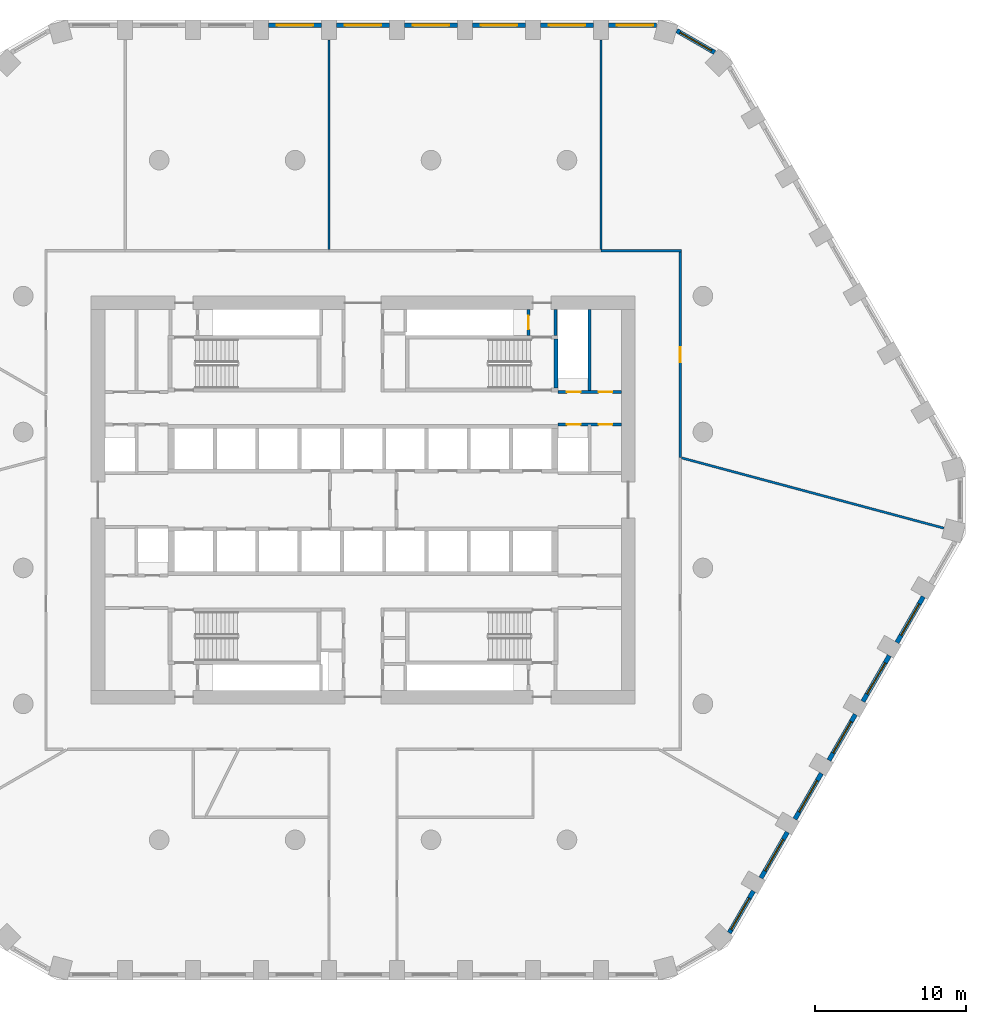
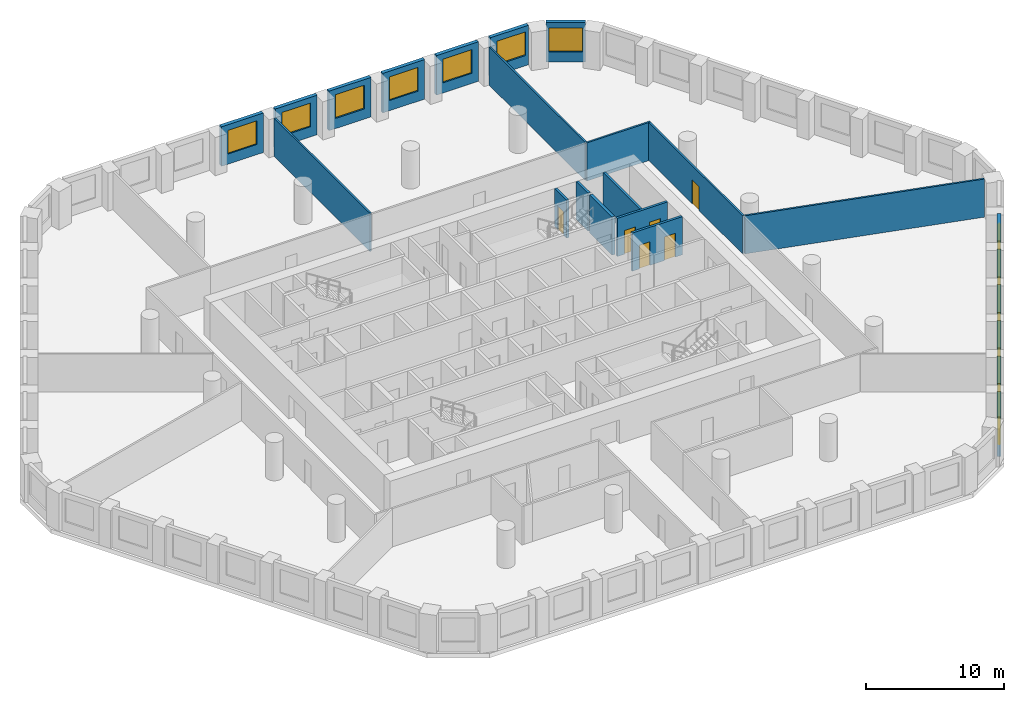
# One storey, part 7 of 9: 24 walls, 13 windows, 6 doors, 19 openings.
"""IFC4 building model written with IfcOpenShell, lengths in metres."""

from ifc_helpers import new_model, si_unit, direction, frame, frame_2d, origin, place, context, subcontext, project, spatial, rectangle, extrude, material, layer, layer_set, type_object, element, fill, save


model = new_model("IFC4")

# Units and contexts
model_context = context("Model", 3, precision=1e-05, world=origin(), true_north=direction((0.0, 1.0)))
body_context = subcontext(model_context, "Body", "Model", "MODEL_VIEW")
ifc_project = project(units=[si_unit("LENGTHUNIT", "METRE"), si_unit("AREAUNIT", "SQUARE_METRE"), si_unit("VOLUMEUNIT", "CUBIC_METRE"), si_unit("PLANEANGLEUNIT", "RADIAN"), si_unit("MASSUNIT", "GRAM", prefix="KILO")], contexts=[model_context])

# Site, building, storey
site_placement = place(None, origin())
site = spatial("IfcSite", under=ifc_project, at=site_placement, CompositionType="ELEMENT")
building_placement = place(site_placement, origin())
building = spatial("IfcBuilding", under=site, at=building_placement, Name="Dhurran Vertical Campus", CompositionType="ELEMENT")
storey_placement = place(building_placement, frame((0.0, 0.0, 124.199951171875)))
storey = spatial("IfcBuildingStorey", under=building, at=storey_placement, Name="L30", CompositionType="ELEMENT", Elevation=124.199951171875)

# Wall, opening, window
ifc_material_1 = material(Name="Precast concrete C50/60", Category="concrete")
ifc_layer_1 = layer(ifc_material_1, 0.300048828125)
ifc_layer_set_1 = layer_set([ifc_layer_1], Name="Precast concrete C50/60")
wall_type_1 = type_object("IfcWallType", Name="Precast spandrel wall 300", PredefinedType="SOLIDWALL", material=ifc_layer_set_1)
wall_1_placement = place(storey_placement, frame((24.24755859375, -28.65576171875, 0.0), z_axis=(0.0, 0.0, 1.0), x_axis=(0.500004907028, 0.866022570692, 0.0)))
wall_1 = element("IfcWall", 1, at=wall_1_placement, inside=storey, type_object=wall_type_1, Name="EW1 L30.10", PredefinedType="SOLIDWALL", context=body_context, shape_type="SweptSolid", body=[
    extrude(rectangle(XDim=3.1923828125, YDim=0.300048828125, at=frame_2d((1.59619140625, 0.0))), origin(), (0.0, 0.0, 1.0), 3.5),
])
opening_1_placement = place(wall_1_placement, frame((0.242919921875, 0.0, 0.89990234375)))
opening_1 = element("IfcOpeningElement", 2, at=opening_1_placement, cuts=wall_1, Name="Opening WT1", PredefinedType="OPENING", context=body_context, shape_type="SweptSolid", body=[
    extrude(rectangle(XDim=2.39990234375, YDim=2.10009765625, at=frame_2d((1.199951171875, 1.050048828125))), frame((0.0, 0.159912109375, 0.0), z_axis=(0.0, -1.0, 0.0), x_axis=(1.0, 0.0, 0.0)), (0.0, 0.0, 1.0), 0.320068359375),
])
ifc_material_2 = material(Name="Aluminium frame with solar-control glass", Category="aluminium")
window_type = type_object("IfcWindowType", Name="Punched window 2400 x 2100", PartitioningType="SINGLE_PANEL", PredefinedType="WINDOW", material=ifc_material_2)
window_1_placement = place(opening_1_placement, origin())
window_1 = element("IfcWindow", 3, at=window_1_placement, inside=storey, type_object=window_type, Name="WT1 L30.10", OverallHeight=2.10009765625, OverallWidth=2.39990234375, PartitioningType="SINGLE_PANEL", PredefinedType="WINDOW", context=body_context, shape_type="SweptSolid", body=[
    extrude(rectangle(XDim=2.39990234375, YDim=2.10009765625, at=frame_2d((1.199951171875, 1.050048828125))), frame((0.0, 0.030029296875, 0.0), z_axis=(0.0, -1.0, 0.0), x_axis=(1.0, 0.0, 0.0)), (0.0, 0.0, 1.0), 0.06005859375),
])
fill(opening_1, window_1)

wall_2_placement = place(storey_placement, frame((26.34423828125, -25.024169921875, 0.0), z_axis=(0.0, 0.0, 1.0), x_axis=(0.499996256241, 0.866027565234, 0.0)))
wall_2 = element("IfcWall", 4, at=wall_2_placement, inside=storey, type_object=wall_type_1, Name="EW1 L30.11", PredefinedType="SOLIDWALL", context=body_context, shape_type="SweptSolid", body=[
    extrude(rectangle(XDim=3.4990234375, YDim=0.300048828125, at=frame_2d((1.74951171875, 0.0))), origin(), (0.0, 0.0, 1.0), 3.5),
])
opening_2_placement = place(wall_2_placement, frame((0.549560546875, 0.0, 0.89990234375)))
opening_2 = element("IfcOpeningElement", 5, at=opening_2_placement, cuts=wall_2, Name="Opening WT1", PredefinedType="OPENING", context=body_context, shape_type="SweptSolid", body=[
    extrude(rectangle(XDim=2.39990234375, YDim=2.10009765625, at=frame_2d((1.199951171875, 1.050048828125))), frame((0.0, 0.159912109375, 0.0), z_axis=(0.0, -1.0, 0.0), x_axis=(1.0, 0.0, 0.0)), (0.0, 0.0, 1.0), 0.320068359375),
])
window_2_placement = place(opening_2_placement, origin())
window_2 = element("IfcWindow", 6, at=window_2_placement, inside=storey, type_object=window_type, Name="WT1 L30.11", OverallHeight=2.10009765625, OverallWidth=2.39990234375, PartitioningType="SINGLE_PANEL", PredefinedType="WINDOW", context=body_context, shape_type="SweptSolid", body=[
    extrude(rectangle(XDim=2.39990234375, YDim=2.10009765625, at=frame_2d((1.199951171875, 1.050048828125))), frame((0.0, 0.030029296875, 0.0), z_axis=(0.0, -1.0, 0.0), x_axis=(1.0, 0.0, 0.0)), (0.0, 0.0, 1.0), 0.06005859375),
])
fill(opening_2, window_2)

wall_3_placement = place(storey_placement, frame((28.59423828125, -21.127197265625, 0.0), z_axis=(0.0, 0.0, 1.0), x_axis=(0.499996256241, 0.866027565234, 0.0)))
wall_3 = element("IfcWall", 7, at=wall_3_placement, inside=storey, type_object=wall_type_1, Name="EW1 L30.12", PredefinedType="SOLIDWALL", context=body_context, shape_type="SweptSolid", body=[
    extrude(rectangle(XDim=3.4990234375, YDim=0.300048828125, at=frame_2d((1.74951171875, 0.0))), origin(), (0.0, 0.0, 1.0), 3.5),
])
opening_3_placement = place(wall_3_placement, frame((0.549560546875, 0.0, 0.89990234375)))
opening_3 = element("IfcOpeningElement", 8, at=opening_3_placement, cuts=wall_3, Name="Opening WT1", PredefinedType="OPENING", context=body_context, shape_type="SweptSolid", body=[
    extrude(rectangle(XDim=2.39990234375, YDim=2.10009765625, at=frame_2d((1.199951171875, 1.050048828125))), frame((0.0, 0.159912109375, 0.0), z_axis=(0.0, -1.0, 0.0), x_axis=(1.0, 0.0, 0.0)), (0.0, 0.0, 1.0), 0.320068359375),
])
window_3_placement = place(opening_3_placement, origin())
window_3 = element("IfcWindow", 9, at=window_3_placement, inside=storey, type_object=window_type, Name="WT1 L30.12", OverallHeight=2.10009765625, OverallWidth=2.39990234375, PartitioningType="SINGLE_PANEL", PredefinedType="WINDOW", context=body_context, shape_type="SweptSolid", body=[
    extrude(rectangle(XDim=2.39990234375, YDim=2.10009765625, at=frame_2d((1.199951171875, 1.050048828125))), frame((0.0, 0.030029296875, 0.0), z_axis=(0.0, -1.0, 0.0), x_axis=(1.0, 0.0, 0.0)), (0.0, 0.0, 1.0), 0.06005859375),
])
fill(opening_3, window_3)

wall_4_placement = place(storey_placement, frame((30.84423828125, -17.22998046875, 0.0), z_axis=(0.0, 0.0, 1.0), x_axis=(0.499996256241, 0.866027565234, 0.0)))
wall_4 = element("IfcWall", 10, at=wall_4_placement, inside=storey, type_object=wall_type_1, Name="EW1 L30.13", PredefinedType="SOLIDWALL", context=body_context, shape_type="SweptSolid", body=[
    extrude(rectangle(XDim=3.4990234375, YDim=0.300048828125, at=frame_2d((1.74951171875, 0.0))), origin(), (0.0, 0.0, 1.0), 3.5),
])
opening_4_placement = place(wall_4_placement, frame((0.549560546875, 0.0, 0.89990234375)))
opening_4 = element("IfcOpeningElement", 11, at=opening_4_placement, cuts=wall_4, Name="Opening WT1", PredefinedType="OPENING", context=body_context, shape_type="SweptSolid", body=[
    extrude(rectangle(XDim=2.39990234375, YDim=2.10009765625, at=frame_2d((1.199951171875, 1.050048828125))), frame((0.0, 0.159912109375, 0.0), z_axis=(0.0, -1.0, 0.0), x_axis=(1.0, 0.0, 0.0)), (0.0, 0.0, 1.0), 0.320068359375),
])
window_4_placement = place(opening_4_placement, origin())
window_4 = element("IfcWindow", 12, at=window_4_placement, inside=storey, type_object=window_type, Name="WT1 L30.13", OverallHeight=2.10009765625, OverallWidth=2.39990234375, PartitioningType="SINGLE_PANEL", PredefinedType="WINDOW", context=body_context, shape_type="SweptSolid", body=[
    extrude(rectangle(XDim=2.39990234375, YDim=2.10009765625, at=frame_2d((1.199951171875, 1.050048828125))), frame((0.0, 0.030029296875, 0.0), z_axis=(0.0, -1.0, 0.0), x_axis=(1.0, 0.0, 0.0)), (0.0, 0.0, 1.0), 0.06005859375),
])
fill(opening_4, window_4)

wall_5_placement = place(storey_placement, frame((33.09423828125, -13.3330078125, 0.0), z_axis=(0.0, 0.0, 1.0), x_axis=(0.499996256241, 0.866027565234, 0.0)))
wall_5 = element("IfcWall", 13, at=wall_5_placement, inside=storey, type_object=wall_type_1, Name="EW1 L30.14", PredefinedType="SOLIDWALL", context=body_context, shape_type="SweptSolid", body=[
    extrude(rectangle(XDim=3.4990234375, YDim=0.300048828125, at=frame_2d((1.74951171875, 0.0))), origin(), (0.0, 0.0, 1.0), 3.5),
])
opening_5_placement = place(wall_5_placement, frame((0.549560546875, 0.0, 0.89990234375)))
opening_5 = element("IfcOpeningElement", 14, at=opening_5_placement, cuts=wall_5, Name="Opening WT1", PredefinedType="OPENING", context=body_context, shape_type="SweptSolid", body=[
    extrude(rectangle(XDim=2.39990234375, YDim=2.10009765625, at=frame_2d((1.199951171875, 1.050048828125))), frame((0.0, 0.159912109375, 0.0), z_axis=(0.0, -1.0, 0.0), x_axis=(1.0, 0.0, 0.0)), (0.0, 0.0, 1.0), 0.320068359375),
])
window_5_placement = place(opening_5_placement, origin())
window_5 = element("IfcWindow", 15, at=window_5_placement, inside=storey, type_object=window_type, Name="WT1 L30.14", OverallHeight=2.10009765625, OverallWidth=2.39990234375, PartitioningType="SINGLE_PANEL", PredefinedType="WINDOW", context=body_context, shape_type="SweptSolid", body=[
    extrude(rectangle(XDim=2.39990234375, YDim=2.10009765625, at=frame_2d((1.199951171875, 1.050048828125))), frame((0.0, 0.030029296875, 0.0), z_axis=(0.0, -1.0, 0.0), x_axis=(1.0, 0.0, 0.0)), (0.0, 0.0, 1.0), 0.06005859375),
])
fill(opening_5, window_5)

wall_6_placement = place(storey_placement, frame((35.34423828125, -9.435791015625, 0.0), z_axis=(0.0, 0.0, 1.0), x_axis=(0.499996256241, 0.866027565234, 0.0)))
wall_6 = element("IfcWall", 16, at=wall_6_placement, inside=storey, type_object=wall_type_1, Name="EW1 L30.15", PredefinedType="SOLIDWALL", context=body_context, shape_type="SweptSolid", body=[
    extrude(rectangle(XDim=3.4990234375, YDim=0.300048828125, at=frame_2d((1.74951171875, 0.0))), origin(), (0.0, 0.0, 1.0), 3.5),
])
opening_6_placement = place(wall_6_placement, frame((0.549560546875, 0.0, 0.89990234375)))
opening_6 = element("IfcOpeningElement", 17, at=opening_6_placement, cuts=wall_6, Name="Opening WT1", PredefinedType="OPENING", context=body_context, shape_type="SweptSolid", body=[
    extrude(rectangle(XDim=2.39990234375, YDim=2.10009765625, at=frame_2d((1.199951171875, 1.050048828125))), frame((0.0, 0.159912109375, 0.0), z_axis=(0.0, -1.0, 0.0), x_axis=(1.0, 0.0, 0.0)), (0.0, 0.0, 1.0), 0.320068359375),
])
window_6_placement = place(opening_6_placement, origin())
window_6 = element("IfcWindow", 18, at=window_6_placement, inside=storey, type_object=window_type, Name="WT1 L30.15", OverallHeight=2.10009765625, OverallWidth=2.39990234375, PartitioningType="SINGLE_PANEL", PredefinedType="WINDOW", context=body_context, shape_type="SweptSolid", body=[
    extrude(rectangle(XDim=2.39990234375, YDim=2.10009765625, at=frame_2d((1.199951171875, 1.050048828125))), frame((0.0, 0.030029296875, 0.0), z_axis=(0.0, -1.0, 0.0), x_axis=(1.0, 0.0, 0.0)), (0.0, 0.0, 1.0), 0.06005859375),
])
fill(opening_6, window_6)

wall_7_placement = place(storey_placement, frame((23.273193359375, 29.63037109375, 0.0), z_axis=(0.0, 0.0, 1.0), x_axis=(-0.866053149362, 0.49995194017, 0.0)))
wall_7 = element("IfcWall", 19, at=wall_7_placement, inside=storey, type_object=wall_type_1, Name="EW1 L30.25", PredefinedType="SOLIDWALL", context=body_context, shape_type="SweptSolid", body=[
    extrude(rectangle(XDim=2.885498046875, YDim=0.300048828125, at=frame_2d((1.44287109375, 0.0))), origin(), (0.0, 0.0, 1.0), 3.5),
])
opening_7_placement = place(wall_7_placement, frame((0.242919921875, 0.0, 0.89990234375)))
opening_7 = element("IfcOpeningElement", 20, at=opening_7_placement, cuts=wall_7, Name="Opening WT1", PredefinedType="OPENING", context=body_context, shape_type="SweptSolid", body=[
    extrude(rectangle(XDim=2.39990234375, YDim=2.10009765625, at=frame_2d((1.199951171875, 1.050048828125))), frame((0.0, 0.159912109375, 0.0), z_axis=(0.0, -1.0, 0.0), x_axis=(1.0, 0.0, 0.0)), (0.0, 0.0, 1.0), 0.320068359375),
])
window_7_placement = place(opening_7_placement, origin())
window_7 = element("IfcWindow", 21, at=window_7_placement, inside=storey, type_object=window_type, Name="WT1 L30.25", OverallHeight=2.10009765625, OverallWidth=2.39990234375, PartitioningType="SINGLE_PANEL", PredefinedType="WINDOW", context=body_context, shape_type="SweptSolid", body=[
    extrude(rectangle(XDim=2.39990234375, YDim=2.10009765625, at=frame_2d((1.199951171875, 1.050048828125))), frame((0.0, 0.030029296875, 0.0), z_axis=(0.0, -1.0, 0.0), x_axis=(1.0, 0.0, 0.0)), (0.0, 0.0, 1.0), 0.06005859375),
])
fill(opening_7, window_7)

wall_8_placement = place(storey_placement, frame((19.44287109375, 31.4296875, 0.0), z_axis=(0.0, 0.0, 1.0), x_axis=(-1.0, 0.0, 0.0)))
wall_8 = element("IfcWall", 22, at=wall_8_placement, inside=storey, type_object=wall_type_1, Name="EW1 L30.26", PredefinedType="SOLIDWALL", context=body_context, shape_type="SweptSolid", body=[
    extrude(rectangle(XDim=3.1923828125, YDim=0.300048828125, at=frame_2d((1.59619140625, 0.0))), origin(), (0.0, 0.0, 1.0), 3.5),
])
opening_8_placement = place(wall_8_placement, frame((0.242919921875, 0.0, 0.89990234375)))
opening_8 = element("IfcOpeningElement", 23, at=opening_8_placement, cuts=wall_8, Name="Opening WT1", PredefinedType="OPENING", context=body_context, shape_type="SweptSolid", body=[
    extrude(rectangle(XDim=2.39990234375, YDim=2.10009765625, at=frame_2d((1.199951171875, 1.050048828125))), frame((0.0, 0.159912109375, 0.0), z_axis=(0.0, -1.0, 0.0), x_axis=(1.0, 0.0, 0.0)), (0.0, 0.0, 1.0), 0.320068359375),
])
window_8_placement = place(opening_8_placement, origin())
window_8 = element("IfcWindow", 24, at=window_8_placement, inside=storey, type_object=window_type, Name="WT1 L30.26", OverallHeight=2.10009765625, OverallWidth=2.39990234375, PartitioningType="SINGLE_PANEL", PredefinedType="WINDOW", context=body_context, shape_type="SweptSolid", body=[
    extrude(rectangle(XDim=2.39990234375, YDim=2.10009765625, at=frame_2d((1.199951171875, 1.050048828125))), frame((0.0, 0.030029296875, 0.0), z_axis=(0.0, -1.0, 0.0), x_axis=(1.0, 0.0, 0.0)), (0.0, 0.0, 1.0), 0.06005859375),
])
fill(opening_8, window_8)

wall_9_placement = place(storey_placement, frame((15.24951171875, 31.4296875, 0.0), z_axis=(0.0, 0.0, 1.0), x_axis=(-1.0, 0.0, 0.0)))
wall_9 = element("IfcWall", 25, at=wall_9_placement, inside=storey, type_object=wall_type_1, Name="EW1 L30.27", PredefinedType="SOLIDWALL", context=body_context, shape_type="SweptSolid", body=[
    extrude(rectangle(XDim=3.4990234375, YDim=0.300048828125, at=frame_2d((1.74951171875, 0.0))), origin(), (0.0, 0.0, 1.0), 3.5),
])
opening_9_placement = place(wall_9_placement, frame((0.549560546875, 0.0, 0.89990234375)))
opening_9 = element("IfcOpeningElement", 26, at=opening_9_placement, cuts=wall_9, Name="Opening WT1", PredefinedType="OPENING", context=body_context, shape_type="SweptSolid", body=[
    extrude(rectangle(XDim=2.39990234375, YDim=2.10009765625, at=frame_2d((1.199951171875, 1.050048828125))), frame((0.0, 0.159912109375, 0.0), z_axis=(0.0, -1.0, 0.0), x_axis=(1.0, 0.0, 0.0)), (0.0, 0.0, 1.0), 0.320068359375),
])
window_9_placement = place(opening_9_placement, origin())
window_9 = element("IfcWindow", 27, at=window_9_placement, inside=storey, type_object=window_type, Name="WT1 L30.27", OverallHeight=2.10009765625, OverallWidth=2.39990234375, PartitioningType="SINGLE_PANEL", PredefinedType="WINDOW", context=body_context, shape_type="SweptSolid", body=[
    extrude(rectangle(XDim=2.39990234375, YDim=2.10009765625, at=frame_2d((1.199951171875, 1.050048828125))), frame((0.0, 0.030029296875, 0.0), z_axis=(0.0, -1.0, 0.0), x_axis=(1.0, 0.0, 0.0)), (0.0, 0.0, 1.0), 0.06005859375),
])
fill(opening_9, window_9)

wall_10_placement = place(storey_placement, frame((10.74951171875, 31.4296875, 0.0), z_axis=(0.0, 0.0, 1.0), x_axis=(-1.0, 0.0, 0.0)))
wall_10 = element("IfcWall", 28, at=wall_10_placement, inside=storey, type_object=wall_type_1, Name="EW1 L30.28", PredefinedType="SOLIDWALL", context=body_context, shape_type="SweptSolid", body=[
    extrude(rectangle(XDim=3.4990234375, YDim=0.300048828125, at=frame_2d((1.74951171875, 0.0))), origin(), (0.0, 0.0, 1.0), 3.5),
])
opening_10_placement = place(wall_10_placement, frame((0.549560546875, 0.0, 0.89990234375)))
opening_10 = element("IfcOpeningElement", 29, at=opening_10_placement, cuts=wall_10, Name="Opening WT1", PredefinedType="OPENING", context=body_context, shape_type="SweptSolid", body=[
    extrude(rectangle(XDim=2.39990234375, YDim=2.10009765625, at=frame_2d((1.199951171875, 1.050048828125))), frame((0.0, 0.159912109375, 0.0), z_axis=(0.0, -1.0, 0.0), x_axis=(1.0, 0.0, 0.0)), (0.0, 0.0, 1.0), 0.320068359375),
])
window_10_placement = place(opening_10_placement, origin())
window_10 = element("IfcWindow", 30, at=window_10_placement, inside=storey, type_object=window_type, Name="WT1 L30.28", OverallHeight=2.10009765625, OverallWidth=2.39990234375, PartitioningType="SINGLE_PANEL", PredefinedType="WINDOW", context=body_context, shape_type="SweptSolid", body=[
    extrude(rectangle(XDim=2.39990234375, YDim=2.10009765625, at=frame_2d((1.199951171875, 1.050048828125))), frame((0.0, 0.030029296875, 0.0), z_axis=(0.0, -1.0, 0.0), x_axis=(1.0, 0.0, 0.0)), (0.0, 0.0, 1.0), 0.06005859375),
])
fill(opening_10, window_10)

wall_11_placement = place(storey_placement, frame((6.24951171875, 31.4296875, 0.0), z_axis=(0.0, 0.0, 1.0), x_axis=(-1.0, 0.0, 0.0)))
wall_11 = element("IfcWall", 31, at=wall_11_placement, inside=storey, type_object=wall_type_1, Name="EW1 L30.29", PredefinedType="SOLIDWALL", context=body_context, shape_type="SweptSolid", body=[
    extrude(rectangle(XDim=3.4990234375, YDim=0.300048828125, at=frame_2d((1.74951171875, 0.0))), origin(), (0.0, 0.0, 1.0), 3.5),
])
opening_11_placement = place(wall_11_placement, frame((0.549560546875, 0.0, 0.89990234375)))
opening_11 = element("IfcOpeningElement", 32, at=opening_11_placement, cuts=wall_11, Name="Opening WT1", PredefinedType="OPENING", context=body_context, shape_type="SweptSolid", body=[
    extrude(rectangle(XDim=2.39990234375, YDim=2.10009765625, at=frame_2d((1.199951171875, 1.050048828125))), frame((0.0, 0.159912109375, 0.0), z_axis=(0.0, -1.0, 0.0), x_axis=(1.0, 0.0, 0.0)), (0.0, 0.0, 1.0), 0.320068359375),
])
window_11_placement = place(opening_11_placement, origin())
window_11 = element("IfcWindow", 33, at=window_11_placement, inside=storey, type_object=window_type, Name="WT1 L30.29", OverallHeight=2.10009765625, OverallWidth=2.39990234375, PartitioningType="SINGLE_PANEL", PredefinedType="WINDOW", context=body_context, shape_type="SweptSolid", body=[
    extrude(rectangle(XDim=2.39990234375, YDim=2.10009765625, at=frame_2d((1.199951171875, 1.050048828125))), frame((0.0, 0.030029296875, 0.0), z_axis=(0.0, -1.0, 0.0), x_axis=(1.0, 0.0, 0.0)), (0.0, 0.0, 1.0), 0.06005859375),
])
fill(opening_11, window_11)

wall_12_placement = place(storey_placement, frame((1.74951171875, 31.4296875, 0.0), z_axis=(0.0, 0.0, 1.0), x_axis=(-1.0, 0.0, 0.0)))
wall_12 = element("IfcWall", 34, at=wall_12_placement, inside=storey, type_object=wall_type_1, Name="EW1 L30.30", PredefinedType="SOLIDWALL", context=body_context, shape_type="SweptSolid", body=[
    extrude(rectangle(XDim=3.4990234375, YDim=0.300048828125, at=frame_2d((1.74951171875, 0.0))), origin(), (0.0, 0.0, 1.0), 3.5),
])
opening_12_placement = place(wall_12_placement, frame((0.549560546875, 0.0, 0.89990234375)))
opening_12 = element("IfcOpeningElement", 35, at=opening_12_placement, cuts=wall_12, Name="Opening WT1", PredefinedType="OPENING", context=body_context, shape_type="SweptSolid", body=[
    extrude(rectangle(XDim=2.39990234375, YDim=2.10009765625, at=frame_2d((1.199951171875, 1.050048828125))), frame((0.0, 0.159912109375, 0.0), z_axis=(0.0, -1.0, 0.0), x_axis=(1.0, 0.0, 0.0)), (0.0, 0.0, 1.0), 0.320068359375),
])
window_12_placement = place(opening_12_placement, origin())
window_12 = element("IfcWindow", 36, at=window_12_placement, inside=storey, type_object=window_type, Name="WT1 L30.30", OverallHeight=2.10009765625, OverallWidth=2.39990234375, PartitioningType="SINGLE_PANEL", PredefinedType="WINDOW", context=body_context, shape_type="SweptSolid", body=[
    extrude(rectangle(XDim=2.39990234375, YDim=2.10009765625, at=frame_2d((1.199951171875, 1.050048828125))), frame((0.0, 0.030029296875, 0.0), z_axis=(0.0, -1.0, 0.0), x_axis=(1.0, 0.0, 0.0)), (0.0, 0.0, 1.0), 0.06005859375),
])
fill(opening_12, window_12)

wall_13_placement = place(storey_placement, frame((-2.75048828125, 31.4296875, 0.0), z_axis=(0.0, 0.0, 1.0), x_axis=(-1.0, 0.0, 0.0)))
wall_13 = element("IfcWall", 37, at=wall_13_placement, inside=storey, type_object=wall_type_1, Name="EW1 L30.31", PredefinedType="SOLIDWALL", context=body_context, shape_type="SweptSolid", body=[
    extrude(rectangle(XDim=3.4990234375, YDim=0.300048828125, at=frame_2d((1.74951171875, 0.0))), origin(), (0.0, 0.0, 1.0), 3.5),
])
opening_13_placement = place(wall_13_placement, frame((0.549560546875, 0.0, 0.89990234375)))
opening_13 = element("IfcOpeningElement", 38, at=opening_13_placement, cuts=wall_13, Name="Opening WT1", PredefinedType="OPENING", context=body_context, shape_type="SweptSolid", body=[
    extrude(rectangle(XDim=2.39990234375, YDim=2.10009765625, at=frame_2d((1.199951171875, 1.050048828125))), frame((0.0, 0.159912109375, 0.0), z_axis=(0.0, -1.0, 0.0), x_axis=(1.0, 0.0, 0.0)), (0.0, 0.0, 1.0), 0.320068359375),
])
window_13_placement = place(opening_13_placement, origin())
window_13 = element("IfcWindow", 39, at=window_13_placement, inside=storey, type_object=window_type, Name="WT1 L30.31", OverallHeight=2.10009765625, OverallWidth=2.39990234375, PartitioningType="SINGLE_PANEL", PredefinedType="WINDOW", context=body_context, shape_type="SweptSolid", body=[
    extrude(rectangle(XDim=2.39990234375, YDim=2.10009765625, at=frame_2d((1.199951171875, 1.050048828125))), frame((0.0, 0.030029296875, 0.0), z_axis=(0.0, -1.0, 0.0), x_axis=(1.0, 0.0, 0.0)), (0.0, 0.0, 1.0), 0.06005859375),
])
fill(opening_13, window_13)

# Wall
ifc_material_3 = material(Name="Fire-rated masonry blockwork", Category="masonry")
ifc_layer_2 = layer(ifc_material_3, 0.199951171875)
ifc_layer_set_2 = layer_set([ifc_layer_2], Name="Fire-rated masonry blockwork")
wall_type_2 = type_object("IfcWallType", Name="co-FIRE-PARTITION-200", PredefinedType="PARTITIONING", material=ifc_layer_set_2)
wall_14_placement = place(storey_placement, frame((12.75, 10.89990234375, 0.0), z_axis=(0.0, 0.0, 1.0), x_axis=(0.0, 1.0, 0.0)))
element("IfcWall", 40, at=wall_14_placement, inside=storey, type_object=wall_type_2, Name="Core partition pass-ST2-o L30", PredefinedType="PARTITIONING", context=body_context, shape_type="SweptSolid", body=[
    extrude(rectangle(XDim=1.7001953125, YDim=0.199951171875, at=frame_2d((0.85009765625, 0.0))), origin(), (0.0, 0.0, 1.0), 3.375),
])

# Wall, opening, door
wall_15_placement = place(storey_placement, frame((10.949951171875, 10.89990234375, 0.0), z_axis=(0.0, 0.0, 1.0), x_axis=(0.0, 1.0, 0.0)))
wall_15 = element("IfcWall", 41, at=wall_15_placement, inside=storey, type_object=wall_type_2, Name="Core partition pass-ST2-i L30", PredefinedType="PARTITIONING", context=body_context, shape_type="SweptSolid", body=[
    extrude(rectangle(XDim=1.7001953125, YDim=0.199951171875, at=frame_2d((0.85009765625, 0.0))), origin(), (0.0, 0.0, 1.0), 3.375),
])
opening_14_placement = place(wall_15_placement, frame((0.39990234375, 0.0, 0.0)))
opening_14 = element("IfcOpeningElement", 42, at=opening_14_placement, cuts=wall_15, Name="Opening T08-C10", PredefinedType="OPENING", context=body_context, shape_type="SweptSolid", body=[
    extrude(rectangle(XDim=0.89990234375, YDim=2.10009765625, at=frame_2d((0.449951171875, 1.050048828125))), frame((0.0, 0.10986328125, 0.0), z_axis=(0.0, -1.0, 0.0), x_axis=(1.0, 0.0, 0.0)), (0.0, 0.0, 1.0), 0.219970703125),
])
ifc_material_4 = material(Name="Fire-rated timber door set", Category="wood")
door_type_1 = type_object("IfcDoorType", Name="co-D-ROOM 900x2100", OperationType="SINGLE_SWING_LEFT", PredefinedType="DOOR", material=ifc_material_4)
door_1_placement = place(opening_14_placement, origin())
door_1 = element("IfcDoor", 43, at=door_1_placement, inside=storey, type_object=door_type_1, Name="Riser room door L30", OperationType="SINGLE_SWING_LEFT", OverallHeight=2.10009765625, OverallWidth=0.89990234375, PredefinedType="DOOR", context=body_context, shape_type="SweptSolid", body=[
    extrude(rectangle(XDim=0.89990234375, YDim=2.10009765625, at=frame_2d((0.449951171875, 1.050048828125))), frame((0.0, 0.02490234375, 0.0), z_axis=(0.0, -1.0, 0.0), x_axis=(1.0, 0.0, 0.0)), (0.0, 0.0, 1.0), 0.050048828125),
])
fill(opening_14, door_1)

# Wall
wall_16_placement = place(storey_placement, frame((15.0, 7.14990234375, 0.0), z_axis=(0.0, 0.0, 1.0), x_axis=(0.0, 1.0, 0.0)))
element("IfcWall", 44, at=wall_16_placement, inside=storey, type_object=wall_type_2, Name="Core partition en-NE-cut0 L30", PredefinedType="PARTITIONING", context=body_context, shape_type="SweptSolid", body=[
    extrude(rectangle(XDim=5.4501953125, YDim=0.199951171875, at=frame_2d((2.72509765625, 0.0))), origin(), (0.0, 0.0, 1.0), 3.375),
])

# Wall, openings, doors
wall_17_placement = place(storey_placement, frame((12.89990234375, 7.14990234375, 0.0), z_axis=(0.0, 0.0, 1.0), x_axis=(1.0, 0.0, 0.0)))
wall_17 = element("IfcWall", 45, at=wall_17_placement, inside=storey, type_object=wall_type_2, Name="Core partition en-NE-w L30", PredefinedType="PARTITIONING", context=body_context, shape_type="SweptSolid", body=[
    extrude(rectangle(XDim=4.2001953125, YDim=0.199951171875, at=frame_2d((2.10009765625, 0.0))), origin(), (0.0, 0.0, 1.0), 3.375),
])
opening_15_placement = place(wall_17_placement, frame((0.60009765625, 0.0, 0.0)))
opening_15 = element("IfcOpeningElement", 46, at=opening_15_placement, cuts=wall_17, Name="Opening T08-C17", PredefinedType="OPENING", context=body_context, shape_type="SweptSolid", body=[
    extrude(rectangle(XDim=0.89990234375, YDim=2.10009765625, at=frame_2d((0.449951171875, 1.050048828125))), frame((0.0, 0.10986328125, 0.0), z_axis=(0.0, -1.0, 0.0), x_axis=(1.0, 0.0, 0.0)), (0.0, 0.0, 1.0), 0.219970703125),
])
opening_16_placement = place(wall_17_placement, frame((2.699951171875, 0.0, 0.0)))
opening_16 = element("IfcOpeningElement", 47, at=opening_16_placement, cuts=wall_17, Name="Opening T08-C18", PredefinedType="OPENING", context=body_context, shape_type="SweptSolid", body=[
    extrude(rectangle(XDim=0.89990234375, YDim=2.10009765625, at=frame_2d((0.449951171875, 1.050048828125))), frame((0.0, 0.10986328125, 0.0), z_axis=(0.0, -1.0, 0.0), x_axis=(1.0, 0.0, 0.0)), (0.0, 0.0, 1.0), 0.219970703125),
])
door_2_placement = place(opening_15_placement, origin())
door_2 = element("IfcDoor", 48, at=door_2_placement, inside=storey, type_object=door_type_1, Name="Electrical riser door L30", OperationType="SINGLE_SWING_LEFT", OverallHeight=2.10009765625, OverallWidth=0.89990234375, PredefinedType="DOOR", context=body_context, shape_type="SweptSolid", body=[
    extrude(rectangle(XDim=0.89990234375, YDim=2.10009765625, at=frame_2d((0.449951171875, 1.050048828125))), frame((0.0, 0.02490234375, 0.0), z_axis=(0.0, -1.0, 0.0), x_axis=(1.0, 0.0, 0.0)), (0.0, 0.0, 1.0), 0.050048828125),
])
fill(opening_15, door_2)
door_3_placement = place(opening_16_placement, origin())
door_3 = element("IfcDoor", 49, at=door_3_placement, inside=storey, type_object=door_type_1, Name="Cleaner's store door L30", OperationType="SINGLE_SWING_LEFT", OverallHeight=2.10009765625, OverallWidth=0.89990234375, PredefinedType="DOOR", context=body_context, shape_type="SweptSolid", body=[
    extrude(rectangle(XDim=0.89990234375, YDim=2.10009765625, at=frame_2d((0.449951171875, 1.050048828125))), frame((0.0, 0.02490234375, 0.0), z_axis=(0.0, -1.0, 0.0), x_axis=(1.0, 0.0, 0.0)), (0.0, 0.0, 1.0), 0.050048828125),
])
fill(opening_16, door_3)

wall_18_placement = place(storey_placement, frame((12.89990234375, 5.0, 0.0), z_axis=(0.0, 0.0, 1.0), x_axis=(1.0, 0.0, 0.0)))
wall_18 = element("IfcWall", 50, at=wall_18_placement, inside=storey, type_object=wall_type_2, Name="Core partition es-NE-w L30", PredefinedType="PARTITIONING", context=body_context, shape_type="SweptSolid", body=[
    extrude(rectangle(XDim=4.2001953125, YDim=0.199951171875, at=frame_2d((2.10009765625, 0.0))), origin(), (0.0, 0.0, 1.0), 3.375),
])
opening_17_placement = place(wall_18_placement, frame((0.60009765625, 0.0, 0.0)))
opening_17 = element("IfcOpeningElement", 51, at=opening_17_placement, cuts=wall_18, Name="Opening T08-C19", PredefinedType="OPENING", context=body_context, shape_type="SweptSolid", body=[
    extrude(rectangle(XDim=0.89990234375, YDim=2.10009765625, at=frame_2d((0.449951171875, 1.050048828125))), frame((0.0, 0.10986328125, 0.0), z_axis=(0.0, -1.0, 0.0), x_axis=(1.0, 0.0, 0.0)), (0.0, 0.0, 1.0), 0.219970703125),
])
opening_18_placement = place(wall_18_placement, frame((2.699951171875, 0.0, 0.0)))
opening_18 = element("IfcOpeningElement", 52, at=opening_18_placement, cuts=wall_18, Name="Opening T08-C20", PredefinedType="OPENING", context=body_context, shape_type="SweptSolid", body=[
    extrude(rectangle(XDim=0.89990234375, YDim=2.10009765625, at=frame_2d((0.449951171875, 1.050048828125))), frame((0.0, 0.10986328125, 0.0), z_axis=(0.0, -1.0, 0.0), x_axis=(1.0, 0.0, 0.0)), (0.0, 0.0, 1.0), 0.219970703125),
])
door_4_placement = place(opening_17_placement, origin())
door_4 = element("IfcDoor", 53, at=door_4_placement, inside=storey, type_object=door_type_1, Name="Electrical riser door L30", OperationType="SINGLE_SWING_LEFT", OverallHeight=2.10009765625, OverallWidth=0.89990234375, PredefinedType="DOOR", context=body_context, shape_type="SweptSolid", body=[
    extrude(rectangle(XDim=0.89990234375, YDim=2.10009765625, at=frame_2d((0.449951171875, 1.050048828125))), frame((0.0, 0.02490234375, 0.0), z_axis=(0.0, -1.0, 0.0), x_axis=(1.0, 0.0, 0.0)), (0.0, 0.0, 1.0), 0.050048828125),
])
fill(opening_17, door_4)
door_5_placement = place(opening_18_placement, origin())
door_5 = element("IfcDoor", 54, at=door_5_placement, inside=storey, type_object=door_type_1, Name="Server room door L30", OperationType="SINGLE_SWING_LEFT", OverallHeight=2.10009765625, OverallWidth=0.89990234375, PredefinedType="DOOR", context=body_context, shape_type="SweptSolid", body=[
    extrude(rectangle(XDim=0.89990234375, YDim=2.10009765625, at=frame_2d((0.449951171875, 1.050048828125))), frame((0.0, 0.02490234375, 0.0), z_axis=(0.0, -1.0, 0.0), x_axis=(1.0, 0.0, 0.0)), (0.0, 0.0, 1.0), 0.050048828125),
])
fill(opening_18, door_5)

# Walls
ifc_material_5 = material(Name="Concrete C40/50", Category="concrete")
ifc_layer_3 = layer(ifc_material_5, 0.25)
ifc_layer_set_3 = layer_set([ifc_layer_3], Name="Concrete C40/50")
wall_type_3 = type_object("IfcWallType", Name="co-STAIR-WALL-250", PredefinedType="SHEAR", material=ifc_layer_set_3)
wall_19_placement = place(storey_placement, frame((12.77490234375, 7.39990234375, 0.0), z_axis=(0.0, 0.0, 1.0), x_axis=(0.0, 1.0, 0.0)))
element("IfcWall", 55, at=wall_19_placement, inside=storey, type_object=wall_type_3, Name="Stair ST2 enclosure wall L30", PredefinedType="SHEAR", context=body_context, shape_type="SweptSolid", body=[
    extrude(rectangle(XDim=3.25, YDim=0.25, at=frame_2d((1.625, 0.0))), origin(), (0.0, 0.0, 1.0), 3.375),
])
ifc_material_6 = material(Name="Gypsum board corridor wall on steel studs", Category="steel")
ifc_layer_4 = layer(ifc_material_6, 0.14990234375)
ifc_layer_set_4 = layer_set([ifc_layer_4], Name="Gypsum board corridor wall on steel studs")
wall_type_4 = type_object("IfcWallType", Name="fl-CW-150 corridor wall", PredefinedType="PARTITIONING", material=ifc_layer_set_4)
wall_20_placement = place(storey_placement, frame((21.074951171875, 16.5, 0.0), z_axis=(0.0, 0.0, 1.0), x_axis=(-1.0, 0.0, 0.0)))
element("IfcWall", 56, at=wall_20_placement, inside=storey, type_object=wall_type_4, Name="Partition 30-29", PredefinedType="PARTITIONING", context=body_context, shape_type="SweptSolid", body=[
    extrude(rectangle(XDim=5.324951171875, YDim=0.14990234375, at=frame_2d((2.66259765625, 0.0))), origin(), (0.0, 0.0, 1.0), 3.375),
])

# Wall, opening, door
wall_21_placement = place(storey_placement, frame((21.0, 2.81298828125, 0.0), z_axis=(0.0, 0.0, 1.0), x_axis=(0.0, 1.0, 0.0)))
wall_21 = element("IfcWall", 57, at=wall_21_placement, inside=storey, type_object=wall_type_4, Name="Partition 30-33", PredefinedType="PARTITIONING", context=body_context, shape_type="SweptSolid", body=[
    extrude(rectangle(XDim=13.612060546875, YDim=0.14990234375, at=frame_2d((6.80615234375, 0.0))), origin(), (0.0, 0.0, 1.0), 3.375),
])
opening_19_placement = place(wall_21_placement, frame((6.305908203125, 0.0, 0.0)))
opening_19 = element("IfcOpeningElement", 58, at=opening_19_placement, cuts=wall_21, Name="Opening T08.11", PredefinedType="OPENING", context=body_context, shape_type="SweptSolid", body=[
    extrude(rectangle(XDim=1.0, YDim=2.10009765625, at=frame_2d((0.5, 1.050048828125))), frame((0.0, 0.0849609375, 0.0), z_axis=(0.0, -1.0, 0.0), x_axis=(1.0, 0.0, 0.0)), (0.0, 0.0, 1.0), 0.169921875),
])
ifc_material_7 = material(Name="Solid-core timber door set, fire-rated", Category="wood")
door_type_2 = type_object("IfcDoorType", Name="fl-D-1000x2100", OperationType="SINGLE_SWING_LEFT", PredefinedType="DOOR", material=ifc_material_7)
door_6_placement = place(opening_19_placement, origin())
door_6 = element("IfcDoor", 59, at=door_6_placement, inside=storey, type_object=door_type_2, Name="Door 30.11", OperationType="SINGLE_SWING_LEFT", OverallHeight=2.10009765625, OverallWidth=1.0, PredefinedType="DOOR", context=body_context, shape_type="SweptSolid", body=[
    extrude(rectangle(XDim=1.0, YDim=2.10009765625, at=frame_2d((0.5, 1.050048828125))), frame((0.0, 0.02490234375, 0.0), z_axis=(0.0, -1.0, 0.0), x_axis=(1.0, 0.0, 0.0)), (0.0, 0.0, 1.0), 0.050048828125),
])
fill(opening_19, door_6)

# Walls
ifc_material_8 = material(Name="Gypsum board partition on steel studs", Category="steel")
ifc_layer_5 = layer(ifc_material_8, 0.14990234375)
ifc_layer_set_5 = layer_set([ifc_layer_5], Name="Gypsum board partition on steel studs")
wall_type_5 = type_object("IfcWallType", Name="fl-PW-150 fixed partition", PredefinedType="PARTITIONING", material=ifc_layer_set_5)
for number, where, z_axis, x_axis, name in (
    (60, (-2.25, 30.459716796875, 0.0), (0.0, 0.0, 1.0), (0.0, -1.0, 0.0), "Partition 30-20"),
    (61, (15.75, 30.459716796875, 0.0), (0.0, 0.0, 1.0), (0.0, -1.0, 0.0), "Partition 30-28"),
):
    element("IfcWall", number, at=place(storey_placement, frame(where, z_axis=z_axis, x_axis=x_axis)), inside=storey, type_object=wall_type_5, Name=name, PredefinedType="PARTITIONING", context=body_context, shape_type="SweptSolid", body=[
        extrude(rectangle(XDim=13.884765625, YDim=0.14990234375, at=frame_2d((6.9423828125, 0.0))), origin(), (0.0, 0.0, 1.0), 3.375),
    ])
wall_22_placement = place(storey_placement, frame((38.45361328125, -1.86376953125, 0.0), z_axis=(0.0, 0.0, 1.0), x_axis=(-0.965925618712, 0.25881981979, 0.0)))
element("IfcWall", 62, at=wall_22_placement, inside=storey, type_object=wall_type_5, Name="Partition 30-34", PredefinedType="PARTITIONING", context=body_context, shape_type="SweptSolid", body=[
    extrude(rectangle(XDim=17.974365234375, YDim=0.14990234375, at=frame_2d((8.9873046875, 0.0))), origin(), (0.0, 0.0, 1.0), 3.375),
])

save(model, "model.ifc")
